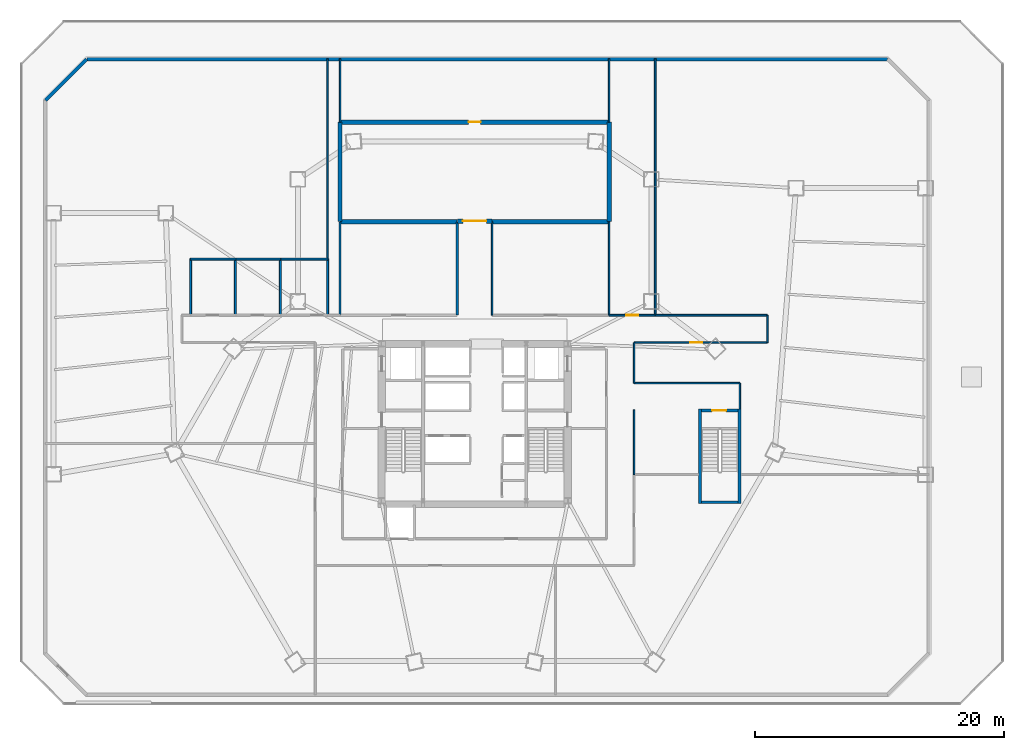
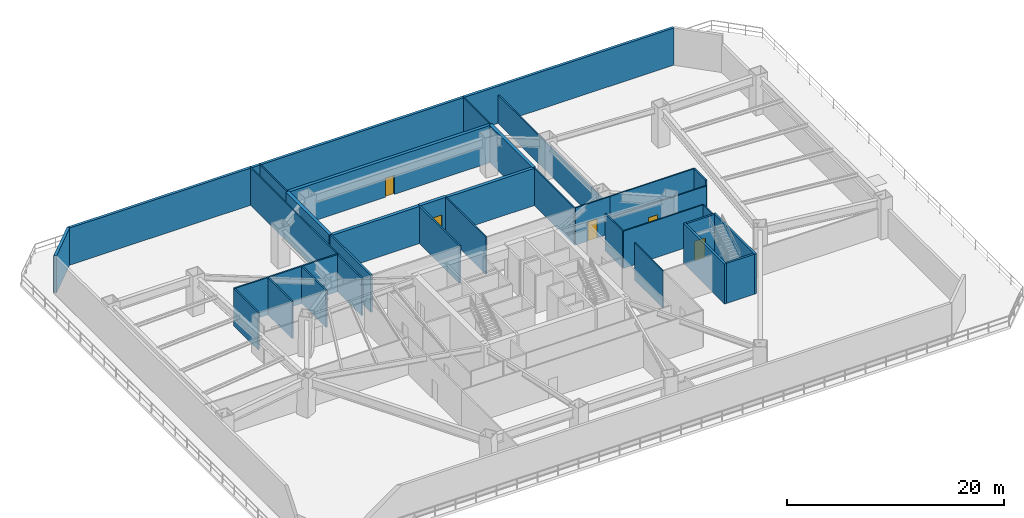
# One storey, part 7 of 13: 35 walls, 5 doors, 5 openings.
"""IFC4 building model written with IfcOpenShell, lengths in metres."""

from ifc_helpers import new_model, si_unit, direction, frame, frame_2d, origin, place, context, subcontext, project, spatial, rectangle, extrude, material, layer, layer_set, type_object, element, fill, save


model = new_model("IFC4")

# Units and contexts
model_context = context("Model", 3, precision=1e-05, world=origin(), true_north=direction((0.0, 1.0)))
body_context = subcontext(model_context, "Body", "Model", "MODEL_VIEW")
ifc_project = project(units=[si_unit("LENGTHUNIT", "METRE"), si_unit("AREAUNIT", "SQUARE_METRE"), si_unit("VOLUMEUNIT", "CUBIC_METRE"), si_unit("PLANEANGLEUNIT", "RADIAN"), si_unit("MASSUNIT", "GRAM", prefix="KILO")], contexts=[model_context])

# Site, building, storey
site_placement = place(None, origin())
site = spatial("IfcSite", under=ifc_project, at=site_placement, CompositionType="ELEMENT")
building_placement = place(site_placement, origin())
building = spatial("IfcBuilding", under=site, at=building_placement, Name="Caelisora Broadcast Tower", CompositionType="ELEMENT")
storey_placement = place(building_placement, frame((0.0, 0.0, 10.199951171875)))
storey = spatial("IfcBuildingStorey", under=building, at=storey_placement, Name="L02", CompositionType="ELEMENT", Elevation=10.199951171875)

# Walls
ifc_material_1 = material(Name="Concrete 50 MPa (AS 3600 S50)", Category="concrete")
ifc_layer_1 = layer(ifc_material_1, 0.219970703125, Name="Concrete 50 MPa (AS 3600 S50)")
ifc_layer_set_1 = layer_set([ifc_layer_1], Name="Concrete 50 MPa (AS 3600 S50)")
wall_type_1 = type_object("IfcWallType", Name="CW7", PredefinedType="SHEAR", material=ifc_layer_set_1)
for number, where, z_axis, x_axis, name in (
    (1, (56.090087890625, 17.179931640625, 0.0), (0.0, 0.0, 1.0), (0.0, 1.0, 0.0), "L02 core shear wall CW7"),
    (2, (59.27001953125, 17.179931640625, 0.0), (0.0, 0.0, 1.0), (0.0, 1.0, 0.0), "L02 core shear wall CW7"),
):
    element("IfcWall", number, at=place(storey_placement, frame(where, z_axis=z_axis, x_axis=x_axis)), inside=storey, type_object=wall_type_1, Name=name, PredefinedType="SHEAR", context=body_context, shape_type="SweptSolid", body=[
        extrude(rectangle(XDim=7.580078125, YDim=0.219970703125, at=frame_2d((3.7900390625, 0.0))), origin(), (0.0, 0.0, 1.0), 4.5),
    ])
wall_1_placement = place(storey_placement, frame((56.199951171875, 17.2900390625, 0.0), z_axis=(0.0, 0.0, 1.0), x_axis=(1.0, 0.0, 0.0)))
element("IfcWall", 3, at=wall_1_placement, inside=storey, type_object=wall_type_1, Name="L02 core shear wall CW7", PredefinedType="SHEAR", context=body_context, shape_type="SweptSolid", body=[
    extrude(rectangle(XDim=2.9599609375, YDim=0.219970703125, at=frame_2d((1.47998046875, 0.0))), origin(), (0.0, 0.0, 1.0), 4.5),
])

# Wall, opening, door
wall_2_placement = place(storey_placement, frame((56.199951171875, 24.64990234375, 0.0), z_axis=(0.0, 0.0, 1.0), x_axis=(1.0, 0.0, 0.0)))
wall_2 = element("IfcWall", 4, at=wall_2_placement, inside=storey, type_object=wall_type_1, Name="L02 core shear wall CW7", PredefinedType="SHEAR", context=body_context, shape_type="SweptSolid", body=[
    extrude(rectangle(XDim=2.9599609375, YDim=0.219970703125, at=frame_2d((1.47998046875, 0.0))), origin(), (0.0, 0.0, 1.0), 4.5),
])
opening_1_placement = place(wall_2_placement, frame((0.8701171875, 0.0, 0.0)))
opening_1 = element("IfcOpeningElement", 5, at=opening_1_placement, cuts=wall_2, Name="Opening FD04", PredefinedType="OPENING", context=body_context, shape_type="SweptSolid", body=[
    extrude(rectangle(XDim=1.1201171875, YDim=2.14990234375, at=frame_2d((0.56005859375, 1.074951171875))), frame((0.0, 0.1220703125, 0.0), z_axis=(0.0, -1.0, 0.0), x_axis=(1.0, 0.0, 0.0)), (0.0, 0.0, 1.0), 0.243896484375),
])
ifc_material_2 = material(Name="Pressurised Fire-Isolated Stair Door", Category="steel")
door_type_1 = type_object("IfcDoorType", Name="FD04", OperationType="NOTDEFINED", PredefinedType="DOOR", material=ifc_material_2)
door_1_placement = place(opening_1_placement, origin())
door_1 = element("IfcDoor", 6, at=door_1_placement, inside=storey, type_object=door_type_1, Name="L02 door FD04 (L02-DR-ST3)", OperationType="SINGLE_SWING_LEFT", OverallHeight=2.14990234375, OverallWidth=1.1201171875, PredefinedType="DOOR", context=body_context, shape_type="SweptSolid", body=[
    extrude(rectangle(XDim=1.1201171875, YDim=2.14990234375, at=frame_2d((0.56005859375, 1.074951171875))), frame((0.0, 0.02490234375, 0.0), z_axis=(0.0, -1.0, 0.0), x_axis=(1.0, 0.0, 0.0)), (0.0, 0.0, 1.0), 0.050048828125),
])
fill(opening_1, door_1)

# Walls
ifc_material_3 = material(Name="Insulated Terracotta Spandrel Wall System", Category="masonry")
ifc_layer_2 = layer(ifc_material_3, 0.280029296875, Name="Insulated Terracotta Spandrel Wall System")
ifc_layer_set_2 = layer_set([ifc_layer_2], Name="Insulated Terracotta Spandrel Wall System")
wall_type_2 = type_object("IfcWallType", Name="EW1", PredefinedType="STANDARD", material=ifc_layer_set_2)
wall_3_placement = place(storey_placement, frame((3.5400390625, 49.55908203125, 0.0), z_axis=(0.0, 0.0, 1.0), x_axis=(0.707106781187, 0.707106781187, 0.0)))
element("IfcWall", 7, at=wall_3_placement, inside=storey, type_object=wall_type_2, Name="L02 exterior envelope wall EW1", PredefinedType="STANDARD", context=body_context, shape_type="SweptSolid", body=[
    extrude(rectangle(XDim=4.66845703125, YDim=0.280029296875, at=frame_2d((2.334228515625, 0.0))), origin(), (0.0, 0.0, 1.0), 4.179931640625),
])
wall_4_placement = place(storey_placement, frame((6.861083984375, 52.860107421875, 0.0), z_axis=(0.0, 0.0, 1.0), x_axis=(1.0, 0.0, 0.0)))
element("IfcWall", 8, at=wall_4_placement, inside=storey, type_object=wall_type_2, Name="L02 exterior envelope wall EW1", PredefinedType="STANDARD", context=body_context, shape_type="SweptSolid", body=[
    extrude(rectangle(XDim=64.27783203125, YDim=0.280029296875, at=frame_2d((32.138916015625, 0.0))), origin(), (0.0, 0.0, 1.0), 4.179931640625),
])

# Wall, opening, door
ifc_material_4 = material(Name="Double-Leaf Acoustic Studio Isolation Wall", Category="gypsum")
ifc_layer_3 = layer(ifc_material_4, 0.340087890625, Name="Double-Leaf Acoustic Studio Isolation Wall")
ifc_layer_set_3 = layer_set([ifc_layer_3], Name="Double-Leaf Acoustic Studio Isolation Wall")
wall_type_3 = type_object("IfcWallType", Name="PW1", PredefinedType="PARTITIONING", material=ifc_layer_set_3)
wall_5_placement = place(storey_placement, frame((27.205078125, 47.800048828125, 0.0), z_axis=(0.0, 0.0, 1.0), x_axis=(1.0, 0.0, 0.0)))
wall_5 = element("IfcWall", 9, at=wall_5_placement, inside=storey, type_object=wall_type_3, Name="L02 acoustic studio wall PW1", PredefinedType="PARTITIONING", context=body_context, shape_type="SweptSolid", body=[
    extrude(rectangle(XDim=21.58984375, YDim=0.340087890625, at=frame_2d((10.794921875, 0.0))), origin(), (0.0, 0.0, 1.0), 4.179931640625),
])
opening_2_placement = place(wall_5_placement, frame((10.31494140625, 0.0, 0.0)))
opening_2 = element("IfcOpeningElement", 10, at=opening_2_placement, cuts=wall_5, Name="Opening D01", PredefinedType="OPENING", context=body_context, shape_type="SweptSolid", body=[
    extrude(rectangle(XDim=0.9599609375, YDim=2.14990234375, at=frame_2d((0.47998046875, 1.074951171875))), frame((0.0, 0.18212890625, 0.0), z_axis=(0.0, -1.0, 0.0), x_axis=(1.0, 0.0, 0.0)), (0.0, 0.0, 1.0), 0.364013671875),
])
ifc_material_5 = material(Name="Solid-Core Timber Acoustic Office Door", Category="wood")
door_type_2 = type_object("IfcDoorType", Name="D01", OperationType="NOTDEFINED", PredefinedType="DOOR", material=ifc_material_5)
door_2_placement = place(opening_2_placement, origin())
door_2 = element("IfcDoor", 11, at=door_2_placement, inside=storey, type_object=door_type_2, Name="L02 door D01 (L02-DR-P23D1)", OperationType="SINGLE_SWING_RIGHT", OverallHeight=2.14990234375, OverallWidth=0.9599609375, PredefinedType="DOOR", context=body_context, shape_type="SweptSolid", body=[
    extrude(rectangle(XDim=0.9599609375, YDim=2.14990234375, at=frame_2d((0.47998046875, 1.074951171875))), frame((0.0, 0.02490234375, 0.0), z_axis=(0.0, -1.0, 0.0), x_axis=(1.0, 0.0, 0.0)), (0.0, 0.0, 1.0), 0.050048828125),
])
fill(opening_2, door_2)

# Walls
for number, where, z_axis, x_axis, name in (
    (12, (27.205078125, 39.800048828125, 0.0), (0.0, 0.0, 1.0), (1.0, 0.0, 0.0), "L02 acoustic studio wall PW1"),
    (13, (39.405029296875, 39.800048828125, 0.0), (0.0, 0.0, 1.0), (1.0, 0.0, 0.0), "L02 acoustic studio wall PW1"),
):
    element("IfcWall", number, at=place(storey_placement, frame(where, z_axis=z_axis, x_axis=x_axis)), inside=storey, type_object=wall_type_3, Name=name, PredefinedType="PARTITIONING", context=body_context, shape_type="SweptSolid", body=[
        extrude(rectangle(XDim=9.389892578125, YDim=0.340087890625, at=frame_2d((4.69482421875, 0.0))), origin(), (0.0, 0.0, 1.0), 4.179931640625),
    ])
for number, where, z_axis, x_axis, name in (
    (14, (27.199951171875, 39.804931640625, 0.0), (0.0, 0.0, 1.0), (0.0, 1.0, 0.0), "L02 acoustic studio wall PW1"),
    (15, (48.800048828125, 39.804931640625, 0.0), (0.0, 0.0, 1.0), (0.0, 1.0, 0.0), "L02 acoustic studio wall PW1"),
):
    element("IfcWall", number, at=place(storey_placement, frame(where, z_axis=z_axis, x_axis=x_axis)), inside=storey, type_object=wall_type_3, Name=name, PredefinedType="PARTITIONING", context=body_context, shape_type="SweptSolid", body=[
        extrude(rectangle(XDim=7.989990234375, YDim=0.340087890625, at=frame_2d((3.9951171875, 0.0))), origin(), (0.0, 0.0, 1.0), 4.179931640625),
    ])

# Wall, opening, door
wall_6_placement = place(storey_placement, frame((36.60498046875, 39.85009765625, 0.0), z_axis=(0.0, 0.0, 1.0), x_axis=(1.0, 0.0, 0.0)))
wall_6 = element("IfcWall", 16, at=wall_6_placement, inside=storey, type_object=wall_type_3, Name="L02 acoustic studio wall PW1", PredefinedType="PARTITIONING", context=body_context, shape_type="SweptSolid", body=[
    extrude(rectangle(XDim=2.7900390625, YDim=0.340087890625, at=frame_2d((1.39501953125, 0.0))), origin(), (0.0, 0.0, 1.0), 4.179931640625),
])
opening_3_placement = place(wall_6_placement, frame((0.445068359375, 0.0, 0.0)))
opening_3 = element("IfcOpeningElement", 17, at=opening_3_placement, cuts=wall_6, Name="Opening SD01", PredefinedType="OPENING", context=body_context, shape_type="SweptSolid", body=[
    extrude(rectangle(XDim=1.89990234375, YDim=2.35009765625, at=frame_2d((0.949951171875, 1.175048828125))), frame((0.0, 0.18212890625, 0.0), z_axis=(0.0, -1.0, 0.0), x_axis=(1.0, 0.0, 0.0)), (0.0, 0.0, 1.0), 0.364013671875),
])
ifc_material_6 = material(Name="Double-Leaf Acoustic Studio Sound-Lock Door", Category="steel")
door_type_3 = type_object("IfcDoorType", Name="SD01", OperationType="NOTDEFINED", PredefinedType="DOOR", material=ifc_material_6)
door_3_placement = place(opening_3_placement, origin())
door_3 = element("IfcDoor", 18, at=door_3_placement, inside=storey, type_object=door_type_3, Name="L02 door SD01 (L02-DR-P28D1)", OperationType="DOUBLE_DOOR_SINGLE_SWING", OverallHeight=2.35009765625, OverallWidth=1.89990234375, PredefinedType="DOOR", context=body_context, shape_type="SweptSolid", body=[
    extrude(rectangle(XDim=1.89990234375, YDim=2.35009765625, at=frame_2d((0.949951171875, 1.175048828125))), frame((0.0, 0.02490234375, 0.0), z_axis=(0.0, -1.0, 0.0), x_axis=(1.0, 0.0, 0.0)), (0.0, 0.0, 1.0), 0.050048828125),
])
fill(opening_3, door_3)

# Walls
ifc_material_7 = material(Name="Fire-Rated Gypsum Shaft and Compartment Wall", Category="gypsum")
ifc_layer_4 = layer(ifc_material_7, 0.179931640625, Name="Fire-Rated Gypsum Shaft and Compartment Wall")
ifc_layer_set_4 = layer_set([ifc_layer_4], Name="Fire-Rated Gypsum Shaft and Compartment Wall")
wall_type_4 = type_object("IfcWallType", Name="PW2", PredefinedType="PARTITIONING", material=ifc_layer_set_4)
for number, where, z_axis, x_axis, name in (
    (19, (36.60009765625, 32.304931640625, 0.0), (0.0, 0.0, 1.0), (0.0, 1.0, 0.0), "L02 fire compartment wall PW2"),
    (20, (27.199951171875, 32.304931640625, 0.0), (0.0, 0.0, 1.0), (0.0, 1.0, 0.0), "L02 fire compartment wall PW2"),
):
    element("IfcWall", number, at=place(storey_placement, frame(where, z_axis=z_axis, x_axis=x_axis)), inside=storey, type_object=wall_type_4, Name=name, PredefinedType="PARTITIONING", context=body_context, shape_type="SweptSolid", body=[
        extrude(rectangle(XDim=7.489990234375, YDim=0.179931640625, at=frame_2d((3.7451171875, 0.0))), origin(), (0.0, 0.0, 1.0), 4.179931640625),
    ])
ifc_material_8 = material(Name="Acoustic Steel-Stud Plasterboard Partition", Category="gypsum")
ifc_layer_5 = layer(ifc_material_8, 0.1298828125, Name="Acoustic Steel-Stud Plasterboard Partition")
ifc_layer_set_5 = layer_set([ifc_layer_5], Name="Acoustic Steel-Stud Plasterboard Partition")
wall_type_5 = type_object("IfcWallType", Name="PW3", PredefinedType="PARTITIONING", material=ifc_layer_set_5)
wall_7_placement = place(storey_placement, frame((52.5, 32.304931640625, 0.0), z_axis=(0.0, 0.0, 1.0), x_axis=(0.0, 1.0, 0.0)))
element("IfcWall", 21, at=wall_7_placement, inside=storey, type_object=wall_type_5, Name="L02 internal partition PW3", PredefinedType="PARTITIONING", context=body_context, shape_type="SweptSolid", body=[
    extrude(rectangle(XDim=20.565185546875, YDim=0.1298828125, at=frame_2d((10.28271484375, 0.0))), origin(), (0.0, 0.0, 1.0), 3.1650390625),
])
wall_8_placement = place(storey_placement, frame((26.199951171875, 52.8701171875, 0.0), z_axis=(0.0, 0.0, 1.0), x_axis=(0.0, -1.0, 0.0)))
element("IfcWall", 22, at=wall_8_placement, inside=storey, type_object=wall_type_5, Name="L02 internal partition PW3", PredefinedType="PARTITIONING", context=body_context, shape_type="SweptSolid", body=[
    extrude(rectangle(XDim=16.065185546875, YDim=0.1298828125, at=frame_2d((8.03271484375, 0.0))), origin(), (0.0, 0.0, 1.0), 4.179931640625),
])

# Wall, opening, door
wall_9_placement = place(storey_placement, frame((61.4951171875, 30.10009765625, 0.0), z_axis=(0.0, 0.0, 1.0), x_axis=(-1.0, 0.0, 0.0)))
wall_9 = element("IfcWall", 23, at=wall_9_placement, inside=storey, type_object=wall_type_5, Name="L02 internal partition PW3", PredefinedType="PARTITIONING", context=body_context, shape_type="SweptSolid", body=[
    extrude(rectangle(XDim=10.690185546875, YDim=0.1298828125, at=frame_2d((5.34521484375, 0.0))), origin(), (0.0, 0.0, 1.0), 3.553466796875),
])
opening_4_placement = place(wall_9_placement, frame((5.219970703125, 0.0, 0.0)))
opening_4 = element("IfcOpeningElement", 24, at=opening_4_placement, cuts=wall_9, Name="Opening D01", PredefinedType="OPENING", context=body_context, shape_type="SweptSolid", body=[
    extrude(rectangle(XDim=0.9599609375, YDim=2.14990234375, at=frame_2d((0.47998046875, 1.074951171875))), frame((0.0, 0.076904296875, 0.0), z_axis=(0.0, -1.0, 0.0), x_axis=(1.0, 0.0, 0.0)), (0.0, 0.0, 1.0), 0.15380859375),
])
door_4_placement = place(opening_4_placement, origin())
door_4 = element("IfcDoor", 25, at=door_4_placement, inside=storey, type_object=door_type_2, Name="L02 door D01 (L02-DR-P38D1)", OperationType="SINGLE_SWING_RIGHT", OverallHeight=2.14990234375, OverallWidth=0.9599609375, PredefinedType="DOOR", context=body_context, shape_type="SweptSolid", body=[
    extrude(rectangle(XDim=0.9599609375, YDim=2.14990234375, at=frame_2d((0.47998046875, 1.074951171875))), frame((0.0, 0.02490234375, 0.0), z_axis=(0.0, -1.0, 0.0), x_axis=(1.0, 0.0, 0.0)), (0.0, 0.0, 1.0), 0.050048828125),
])
fill(opening_4, door_4)

# Walls
wall_10_placement = place(storey_placement, frame((52.5048828125, 32.300048828125, 0.0), z_axis=(0.0, 0.0, 1.0), x_axis=(1.0, 0.0, 0.0)))
element("IfcWall", 26, at=wall_10_placement, inside=storey, type_object=wall_type_5, Name="L02 internal partition PW3", PredefinedType="PARTITIONING", context=body_context, shape_type="SweptSolid", body=[
    extrude(rectangle(XDim=8.990234375, YDim=0.1298828125, at=frame_2d((4.4951171875, 0.0))), origin(), (0.0, 0.0, 1.0), 4.179931640625),
])
wall_11_placement = place(storey_placement, frame((50.804931640625, 26.85009765625, 0.0), z_axis=(0.0, 0.0, 1.0), x_axis=(1.0, 0.0, 0.0)))
element("IfcWall", 27, at=wall_11_placement, inside=storey, type_object=wall_type_5, Name="L02 internal partition PW3", PredefinedType="PARTITIONING", context=body_context, shape_type="SweptSolid", body=[
    extrude(rectangle(XDim=8.489990234375, YDim=0.1298828125, at=frame_2d((4.2451171875, 0.0))), origin(), (0.0, 0.0, 1.0), 4.179931640625),
])
for number, where, z_axis, x_axis, name in (
    (28, (39.39990234375, 32.304931640625, 0.0), (0.0, 0.0, 1.0), (0.0, 1.0, 0.0), "L02 internal partition PW3"),
    (29, (48.800048828125, 32.304931640625, 0.0), (0.0, 0.0, 1.0), (0.0, 1.0, 0.0), "L02 internal partition PW3"),
):
    element("IfcWall", number, at=place(storey_placement, frame(where, z_axis=z_axis, x_axis=x_axis)), inside=storey, type_object=wall_type_5, Name=name, PredefinedType="PARTITIONING", context=body_context, shape_type="SweptSolid", body=[
        extrude(rectangle(XDim=7.489990234375, YDim=0.1298828125, at=frame_2d((3.7451171875, 0.0))), origin(), (0.0, 0.0, 1.0), 4.179931640625),
    ])
wall_12_placement = place(storey_placement, frame((50.800048828125, 24.695068359375, 0.0), z_axis=(0.0, 0.0, 1.0), x_axis=(0.0, -1.0, 0.0)))
element("IfcWall", 30, at=wall_12_placement, inside=storey, type_object=wall_type_5, Name="L02 internal partition PW3", PredefinedType="PARTITIONING", context=body_context, shape_type="SweptSolid", body=[
    extrude(rectangle(XDim=5.190185546875, YDim=0.1298828125, at=frame_2d((2.59521484375, 0.0))), origin(), (0.0, 0.0, 1.0), 4.179931640625),
])
for number, where, z_axis, x_axis, name in (
    (31, (48.800048828125, 47.804931640625, 0.0), (0.0, 0.0, 1.0), (0.0, 1.0, 0.0), "L02 internal partition PW3"),
    (32, (27.199951171875, 47.804931640625, 0.0), (0.0, 0.0, 1.0), (0.0, 1.0, 0.0), "L02 internal partition PW3"),
):
    element("IfcWall", number, at=place(storey_placement, frame(where, z_axis=z_axis, x_axis=x_axis)), inside=storey, type_object=wall_type_5, Name=name, PredefinedType="PARTITIONING", context=body_context, shape_type="SweptSolid", body=[
        extrude(rectangle(XDim=5.065185546875, YDim=0.1298828125, at=frame_2d((2.53271484375, 0.0))), origin(), (0.0, 0.0, 1.0), 4.179931640625),
    ])

# Wall, opening, door
wall_13_placement = place(storey_placement, frame((48.804931640625, 32.300048828125, 0.0), z_axis=(0.0, 0.0, 1.0), x_axis=(1.0, 0.0, 0.0)))
wall_13 = element("IfcWall", 33, at=wall_13_placement, inside=storey, type_object=wall_type_5, Name="L02 internal partition PW3", PredefinedType="PARTITIONING", context=body_context, shape_type="SweptSolid", body=[
    extrude(rectangle(XDim=3.690185546875, YDim=0.1298828125, at=frame_2d((1.84521484375, 0.0))), origin(), (0.0, 0.0, 1.0), 4.179931640625),
])
opening_5_placement = place(wall_13_placement, frame((1.364990234375, 0.0, 0.0)))
opening_5 = element("IfcOpeningElement", 34, at=opening_5_placement, cuts=wall_13, Name="Opening D01", PredefinedType="OPENING", context=body_context, shape_type="SweptSolid", body=[
    extrude(rectangle(XDim=0.9599609375, YDim=2.14990234375, at=frame_2d((0.47998046875, 1.074951171875))), frame((0.0, 0.076904296875, 0.0), z_axis=(0.0, -1.0, 0.0), x_axis=(1.0, 0.0, 0.0)), (0.0, 0.0, 1.0), 0.15380859375),
])
door_5_placement = place(opening_5_placement, origin())
door_5 = element("IfcDoor", 35, at=door_5_placement, inside=storey, type_object=door_type_2, Name="L02 door D01 (L02-DR-P60D1)", OperationType="SINGLE_SWING_RIGHT", OverallHeight=2.14990234375, OverallWidth=0.9599609375, PredefinedType="DOOR", context=body_context, shape_type="SweptSolid", body=[
    extrude(rectangle(XDim=0.9599609375, YDim=2.14990234375, at=frame_2d((0.47998046875, 1.074951171875))), frame((0.0, 0.02490234375, 0.0), z_axis=(0.0, -1.0, 0.0), x_axis=(1.0, 0.0, 0.0)), (0.0, 0.0, 1.0), 0.050048828125),
])
fill(opening_5, door_5)

# Walls
wall_14_placement = place(storey_placement, frame((50.800048828125, 30.094970703125, 0.0), z_axis=(0.0, 0.0, 1.0), x_axis=(0.0, -1.0, 0.0)))
element("IfcWall", 36, at=wall_14_placement, inside=storey, type_object=wall_type_5, Name="L02 internal partition PW3", PredefinedType="PARTITIONING", context=body_context, shape_type="SweptSolid", body=[
    extrude(rectangle(XDim=3.239990234375, YDim=0.1298828125, at=frame_2d((1.6201171875, 0.0))), origin(), (0.0, 0.0, 1.0), 4.179931640625),
])
wall_15_placement = place(storey_placement, frame((61.5, 32.294921875, 0.0), z_axis=(0.0, 0.0, 1.0), x_axis=(0.0, -1.0, 0.0)))
element("IfcWall", 37, at=wall_15_placement, inside=storey, type_object=wall_type_5, Name="L02 internal partition PW3", PredefinedType="PARTITIONING", context=body_context, shape_type="SweptSolid", body=[
    extrude(rectangle(XDim=2.18994140625, YDim=0.1298828125, at=frame_2d((1.094970703125, 0.0))), origin(), (0.0, 0.0, 1.0), 4.179931640625),
])
wall_16_placement = place(storey_placement, frame((59.300048828125, 26.844970703125, 0.0), z_axis=(0.0, 0.0, 1.0), x_axis=(0.0, -1.0, 0.0)))
element("IfcWall", 38, at=wall_16_placement, inside=storey, type_object=wall_type_5, Name="L02 internal partition PW3", PredefinedType="PARTITIONING", context=body_context, shape_type="SweptSolid", body=[
    extrude(rectangle(XDim=2.070068359375, YDim=0.1298828125, at=frame_2d((1.03515625, 0.0))), origin(), (0.0, 0.0, 1.0), 4.179931640625),
])
ifc_material_9 = material(Name="Moisture-Resistant Wet Plumbing Service Wall", Category="gypsum")
ifc_layer_6 = layer(ifc_material_9, 0.159912109375, Name="Moisture-Resistant Wet Plumbing Service Wall")
ifc_layer_set_6 = layer_set([ifc_layer_6], Name="Moisture-Resistant Wet Plumbing Service Wall")
wall_type_6 = type_object("IfcWallType", Name="PW4", PredefinedType="PLUMBINGWALL", material=ifc_layer_set_6)
for number, where, z_axis, x_axis, name in (
    (39, (15.199951171875, 32.27490234375, 0.0), (0.0, 0.0, 1.0), (0.0, 1.0, 0.0), "L02 wet plumbing wall PW4"),
    (40, (18.800048828125, 32.27490234375, 0.0), (0.0, 0.0, 1.0), (0.0, 1.0, 0.0), "L02 wet plumbing wall PW4"),
    (41, (22.39990234375, 32.27490234375, 0.0), (0.0, 0.0, 1.0), (0.0, 1.0, 0.0), "L02 wet plumbing wall PW4"),
    (42, (26.199951171875, 32.27490234375, 0.0), (0.0, 0.0, 1.0), (0.0, 1.0, 0.0), "L02 wet plumbing wall PW4"),
):
    element("IfcWall", number, at=place(storey_placement, frame(where, z_axis=z_axis, x_axis=x_axis)), inside=storey, type_object=wall_type_6, Name=name, PredefinedType="PLUMBINGWALL", context=body_context, shape_type="SweptSolid", body=[
        extrude(rectangle(XDim=4.550048828125, YDim=0.159912109375, at=frame_2d((2.27490234375, 0.0))), origin(), (0.0, 0.0, 1.0), 4.179931640625),
    ])
wall_17_placement = place(storey_placement, frame((22.375, 36.800048828125, 0.0), z_axis=(0.0, 0.0, 1.0), x_axis=(1.0, 0.0, 0.0)))
element("IfcWall", 43, at=wall_17_placement, inside=storey, type_object=wall_type_6, Name="L02 wet plumbing wall PW4", PredefinedType="PLUMBINGWALL", context=body_context, shape_type="SweptSolid", body=[
    extrude(rectangle(XDim=3.85009765625, YDim=0.159912109375, at=frame_2d((1.925048828125, 0.0))), origin(), (0.0, 0.0, 1.0), 4.179931640625),
])
wall_18_placement = place(storey_placement, frame((15.175048828125, 36.800048828125, 0.0), z_axis=(0.0, 0.0, 1.0), x_axis=(1.0, 0.0, 0.0)))
element("IfcWall", 44, at=wall_18_placement, inside=storey, type_object=wall_type_6, Name="L02 wet plumbing wall PW4", PredefinedType="PLUMBINGWALL", context=body_context, shape_type="SweptSolid", body=[
    extrude(rectangle(XDim=3.64990234375, YDim=0.159912109375, at=frame_2d((1.824951171875, 0.0))), origin(), (0.0, 0.0, 1.0), 4.179931640625),
])
wall_19_placement = place(storey_placement, frame((18.77490234375, 36.800048828125, 0.0), z_axis=(0.0, 0.0, 1.0), x_axis=(1.0, 0.0, 0.0)))
element("IfcWall", 45, at=wall_19_placement, inside=storey, type_object=wall_type_6, Name="L02 wet plumbing wall PW4", PredefinedType="PLUMBINGWALL", context=body_context, shape_type="SweptSolid", body=[
    extrude(rectangle(XDim=3.650146484375, YDim=0.159912109375, at=frame_2d((1.8251953125, 0.0))), origin(), (0.0, 0.0, 1.0), 4.179931640625),
])

save(model, "model.ifc")
